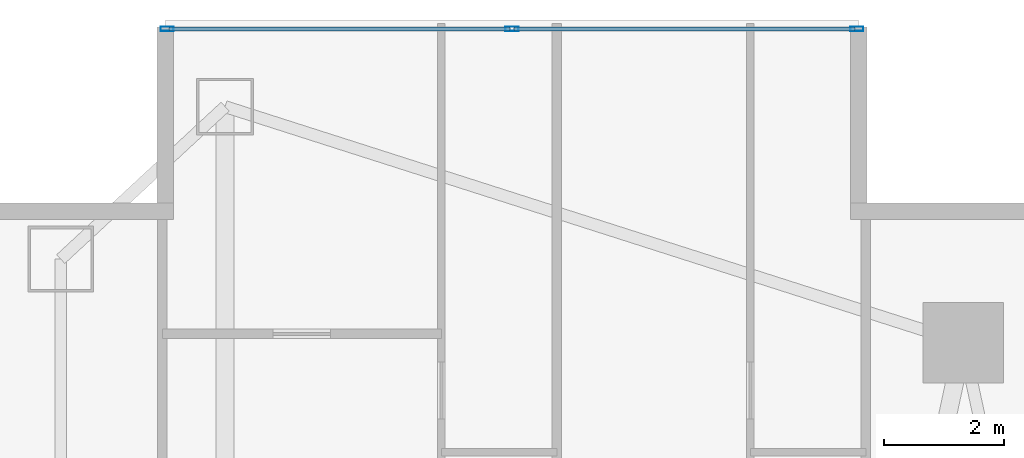
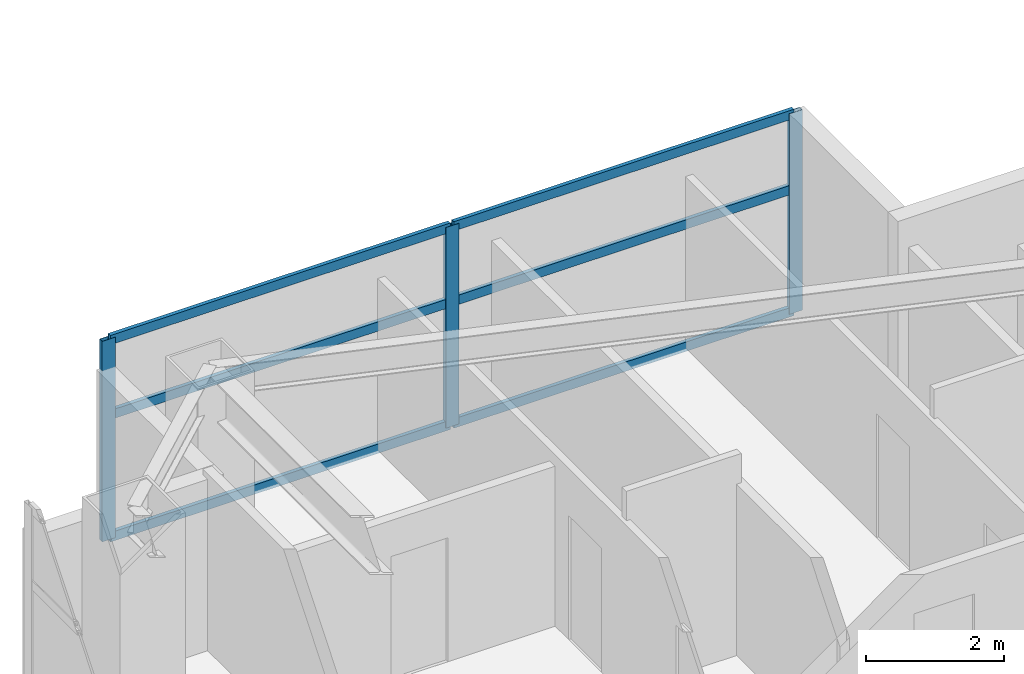
# One storey, part 19 of 30: 9 members, 1 element without a shape of its own.
"""IFC4 building model written with IfcOpenShell, lengths in metres."""

import ifcopenshell
import ifcopenshell.guid

model = None  # the IFC model being written
_history = None  # IfcOwnerHistory: only IFC2X3 demands one
_inside = {}  # id of a spatial element -> (the spatial element, [elements in it])
_under = {}  # id of a project, library or spatial element -> (it, [spatial elements below it])
_declared = {}  # id of a project -> (the project, [libraries it declares])
_typed = {}  # id of a type object -> (the type object, [elements of that type])
_made_of = {}  # id of a material, layer set ... -> (it, [elements and type objects made of it])


def new_model(schema):
    """Start an empty IFC model of exactly this schema.

    Asked for "IFC4X3", IfcOpenShell would pick the latest addendum, in which some entities
    have other attributes; the version numbers below select the first issue.
    IFC2X3 requires an IfcOwnerHistory on every rooted entity: one is made here for all.
    """
    global model, _history
    if schema == "IFC4X3":
        model = ifcopenshell.file(schema_version=(4, 3, 0, 0))
    else:
        model = ifcopenshell.file(schema=schema)
    _inside.clear()
    _under.clear()
    _declared.clear()
    _typed.clear()
    _made_of.clear()
    _history = None
    if model.schema == "IFC2X3":
        org = make("IfcOrganization", Name="unknown")
        user = make(
            "IfcPersonAndOrganization",
            ThePerson=make("IfcPerson", FamilyName="unknown"),
            TheOrganization=org,
        )
        app = make(
            "IfcApplication",
            ApplicationDeveloper=org,
            Version="unknown",
            ApplicationFullName="unknown",
            ApplicationIdentifier="unknown",
        )
        _history = make(
            "IfcOwnerHistory",
            OwningUser=user,
            OwningApplication=app,
            ChangeAction="ADDED",
            CreationDate=0,
        )
    return model


def make(cls, **values):
    """One entity of the class cls with the attributes given. An attribute that is None is left unset."""
    return model.create_entity(
        cls, **{name: value for name, value in values.items() if value is not None}
    )


def rooted(cls, **values):
    """An entity with a GlobalId (a new one), such as an element, a storey or a relation."""
    return make(cls, GlobalId=ifcopenshell.guid.new(), OwnerHistory=_history, **values)


def si_unit(unit_type, name, prefix=None):
    """IfcSIUnit, for example si_unit("LENGTHUNIT", "METRE", prefix="MILLI")."""
    return make("IfcSIUnit", UnitType=unit_type, Prefix=prefix, Name=name)


def assignment(units):
    """IfcUnitAssignment: the units of a project."""
    return None if units is None else make("IfcUnitAssignment", Units=units)


def point(xyz):
    """IfcCartesianPoint."""
    return None if xyz is None else make("IfcCartesianPoint", Coordinates=xyz)


def direction(xyz):
    """IfcDirection."""
    return None if xyz is None else make("IfcDirection", DirectionRatios=xyz)


def frame(location, z_axis=None, x_axis=None):
    """IfcAxis2Placement3D, a coordinate frame: its origin and axes. An axis left out is left unset."""
    return make(
        "IfcAxis2Placement3D",
        Location=point(location),
        Axis=direction(z_axis),
        RefDirection=direction(x_axis),
    )


def frame_2d(location, x_axis=None):
    """IfcAxis2Placement2D, a coordinate frame in the plane: its origin and x axis."""
    return make(
        "IfcAxis2Placement2D", Location=point(location), RefDirection=direction(x_axis)
    )


def origin():
    """The frame at (0, 0, 0) with its axes left unset."""
    return frame((0.0, 0.0, 0.0))


def origin_2d():
    """The frame at (0, 0) in the plane with its x axis left unset."""
    return frame_2d((0.0, 0.0))


def place(relative_to, where):
    """IfcLocalPlacement: puts the frame where relative to a parent placement (None: the world)."""
    return make(
        "IfcLocalPlacement", PlacementRelTo=relative_to, RelativePlacement=where
    )


def context(
    kind, dimensions, precision=None, world=None, true_north=None, identifier=None
):
    """IfcGeometricRepresentationContext, for example the 3D "Model" context."""
    return make(
        "IfcGeometricRepresentationContext",
        ContextIdentifier=identifier,
        ContextType=kind,
        CoordinateSpaceDimension=dimensions,
        Precision=precision,
        WorldCoordinateSystem=world,
        TrueNorth=true_north,
    )


def subcontext(parent, identifier, kind, view, scale=None):
    """IfcGeometricRepresentationSubContext, for example "Body" below "Model"."""
    return make(
        "IfcGeometricRepresentationSubContext",
        ContextIdentifier=identifier,
        ContextType=kind,
        ParentContext=parent,
        TargetScale=scale,
        TargetView=view,
    )


def project(units=None, contexts=None):
    """IfcProject with its units and contexts."""
    return rooted(
        "IfcProject",
        Name="project",
        RepresentationContexts=contexts,
        UnitsInContext=assignment(units),
    )


def spatial(cls, under=None, at=None, **own):
    """A site, building, storey or space (cls), placed at a placement, below another one or the project."""
    s = rooted(cls, ObjectPlacement=at, **own)
    if under is not None:
        _under.setdefault(under.id(), (under, []))[1].append(s)
    return s


def profile(cls, at=None, kind="AREA", **sizes):
    """A parametric profile (cls). Its sizes go by their IFC names, for example OverallWidth=200.0."""
    return make(cls, ProfileType=kind, Position=at, **sizes)


def hollow_rectangle(**sizes):
    """IfcRectangleHollowProfileDef."""
    return profile("IfcRectangleHollowProfileDef", **sizes)


def extrude(swept, where, along, depth):
    """IfcExtrudedAreaSolid: the profile swept, set in the frame where, extruded along a direction by depth."""
    return make(
        "IfcExtrudedAreaSolid",
        SweptArea=swept,
        Position=where,
        ExtrudedDirection=direction(along),
        Depth=depth,
    )


def shape(context_of_items, identifier, shape_type, items):
    """IfcShapeRepresentation: the items that make up one representation, for example the "Body"."""
    return make(
        "IfcShapeRepresentation",
        ContextOfItems=context_of_items,
        RepresentationIdentifier=identifier,
        RepresentationType=shape_type,
        Items=items,
    )


def material(Name=None, Category=None):
    """IfcMaterial."""
    return make("IfcMaterial", Name=Name, Category=Category)


def layer(
    of_material, thickness, ventilated=None, Name=None, Category=None, Priority=None
):
    """IfcMaterialLayer: one layer of a wall or slab, of a material (None: an air gap)."""
    return make(
        "IfcMaterialLayer",
        Material=of_material,
        LayerThickness=thickness,
        IsVentilated=ventilated,
        Name=Name,
        Category=Category,
        Priority=Priority,
    )


def layer_set(layers, Name=None):
    """IfcMaterialLayerSet."""
    return make("IfcMaterialLayerSet", MaterialLayers=layers, LayerSetName=Name)


def material_profile(
    of_material, cross_section, Name=None, Category=None, Priority=None
):
    """IfcMaterialProfile: a cross section and its material."""
    return make(
        "IfcMaterialProfile",
        Name=Name,
        Material=of_material,
        Profile=cross_section,
        Priority=Priority,
        Category=Category,
    )


def profile_set(profiles, Name=None, composite=None):
    """IfcMaterialProfileSet."""
    return make(
        "IfcMaterialProfileSet",
        Name=Name,
        MaterialProfiles=profiles,
        CompositeProfile=composite,
    )


def made_of(thing, what):
    """Note that an element or type object is made of a material, layer set ...; save() writes the relation."""
    if what is not None:
        _made_of.setdefault(what.id(), (what, []))[1].append(thing)
    return thing


def type_object(cls, material=None, **own):
    """A type object (cls), such as IfcWallType, which elements share."""
    return made_of(rooted(cls, **own), material)


def element(
    cls,
    number,
    at=None,
    inside=None,
    cuts=None,
    type_object=None,
    material=None,
    context=None,
    identifier="Body",
    shape_type=None,
    held_by="IfcProductDefinitionShape",
    body=None,
    shapes=None,
    **own,
):
    """One element of the class cls, such as IfcWall. Its Tag is "e" and its number.

    at: its placement. inside: the storey or other place that contains it. cuts: it is an
    opening in that element (IfcRelVoidsElement). A single representation is given by context,
    identifier, shape_type and body (its items); several are given by shapes. held_by: the class
    of the entity that holds the representations. save() writes the other relations.
    """
    e = rooted(cls, Tag="e%d" % number, ObjectPlacement=at, **own)
    if body is not None:
        shapes = [shape(context, identifier, shape_type, body)]
    if shapes is not None:
        e.Representation = make(held_by, Representations=shapes)
    if inside is not None:
        _inside.setdefault(inside.id(), (inside, []))[1].append(e)
    if cuts is not None:
        rooted(
            "IfcRelVoidsElement", RelatingBuildingElement=cuts, RelatedOpeningElement=e
        )
    if type_object is not None:
        _typed.setdefault(type_object.id(), (type_object, []))[1].append(e)
    return made_of(e, material)


def aggregate(whole, parts):
    """IfcRelAggregates: a whole, such as a stair, and the parts it consists of."""
    return rooted("IfcRelAggregates", RelatingObject=whole, RelatedObjects=parts)


def save(model, path):
    """Write the relations noted so far, then the file.

    IfcRelAggregates (storeys below a building ...), IfcRelContainedInSpatialStructure (elements
    in a storey), IfcRelDefinesByType, IfcRelAssociatesMaterial and IfcRelDeclares: one each for
    every whole, place, type object, material and project.
    """
    for whole, parts in _under.values():
        aggregate(whole, parts)
    for where, things in _inside.values():
        rooted(
            "IfcRelContainedInSpatialStructure",
            RelatedElements=things,
            RelatingStructure=where,
        )
    for kind, things in _typed.values():
        rooted("IfcRelDefinesByType", RelatedObjects=things, RelatingType=kind)
    for what, things in _made_of.values():
        rooted("IfcRelAssociatesMaterial", RelatedObjects=things, RelatingMaterial=what)
    for by, libraries in _declared.values():
        rooted("IfcRelDeclares", RelatingContext=by, RelatedDefinitions=libraries)
    model.write(path)


model = new_model("IFC4")

# Units and contexts
model_context = context("Model", 3, precision=1e-05, world=origin(), true_north=direction((0.0, 1.0)))
body_context = subcontext(model_context, "Body", "Model", "MODEL_VIEW")
ifc_project = project(units=[si_unit("LENGTHUNIT", "METRE"), si_unit("AREAUNIT", "SQUARE_METRE"), si_unit("VOLUMEUNIT", "CUBIC_METRE"), si_unit("PLANEANGLEUNIT", "RADIAN"), si_unit("MASSUNIT", "GRAM", prefix="KILO")], contexts=[model_context])

# Site, building, storey
site_placement = place(None, origin())
site = spatial("IfcSite", under=ifc_project, at=site_placement, CompositionType="ELEMENT")
building_placement = place(site_placement, origin())
building = spatial("IfcBuilding", under=site, at=building_placement, Name="Calvorn Quay Hotel", CompositionType="ELEMENT")
storey_placement = place(building_placement, frame((0.0, 0.0, 50.800048828125)))
storey = spatial("IfcBuildingStorey", under=building, at=storey_placement, Name="L11", CompositionType="ELEMENT", Elevation=50.800048828125)

# Curtain wall, members
ifc_material_1 = material(Name="Pale Anodised Aluminium and Low-E Glass", Category="aluminium")
ifc_layer = layer(ifc_material_1, 0.219970703125)
ifc_layer_set = layer_set([ifc_layer], Name="CW-SYS-Z1")
curtain_wall_type = type_object("IfcCurtainWallType", Name="CW-SYS-Z1", PredefinedType="NOTDEFINED", material=ifc_layer_set)
curtain_wall_placement = place(storey_placement, origin())
curtain_wall = element("IfcCurtainWall", 1, at=curtain_wall_placement, inside=storey, type_object=curtain_wall_type, Name="Inner Court Curtain Wall L11-N1", PredefinedType="NOTDEFINED")
ifc_material_2 = material(Name="Pale Anodised Aluminium 6063-T6", Category="aluminium")
ifc_material_profile_1 = material_profile(ifc_material_2, hollow_rectangle(XDim=0.074951171875, YDim=0.219970703125, WallThickness=0.00439453125, at=origin_2d()), Name="ALU-M220x75x4.5")
ifc_profile_set_1 = profile_set([ifc_material_profile_1], Name="Pale Anodised Aluminium 6063-T6")
member_type_1 = type_object("IfcMemberType", Name="CW-SYS-Z1-MUL", PredefinedType="MULLION", material=ifc_profile_set_1)
member_1_placement = place(storey_placement, frame((14.77001953125, 50.85009765625, 0.0), z_axis=(0.0, 0.0, 1.0), x_axis=(0.0, -1.0, 0.0)))
member_1 = element("IfcMember", 2, at=member_1_placement, type_object=member_type_1, Name="CW-L11-N1 mullion 1", PredefinedType="MULLION", context=body_context, shape_type="SweptSolid", body=[
    extrude(hollow_rectangle(XDim=0.074951171875, YDim=0.219970703125, WallThickness=0.00439453125, at=origin_2d()), origin(), (0.0, 0.0, 1.0), 3.56005859375),
])
member_2_placement = place(storey_placement, frame((9.0, 50.85009765625, 0.0), z_axis=(0.0, 0.0, 1.0), x_axis=(0.0, -1.0, 0.0)))
member_2 = element("IfcMember", 3, at=member_2_placement, type_object=member_type_1, Name="CW-L11-N1 mullion 2", PredefinedType="MULLION", context=body_context, shape_type="SweptSolid", body=[
    extrude(hollow_rectangle(XDim=0.074951171875, YDim=0.219970703125, WallThickness=0.00439453125, at=origin_2d()), origin(), (0.0, 0.0, 1.0), 3.56005859375),
])
member_3_placement = place(storey_placement, frame((3.22998046875, 50.85009765625, 0.0), z_axis=(0.0, 0.0, 1.0), x_axis=(0.0, -1.0, 0.0)))
member_3 = element("IfcMember", 4, at=member_3_placement, type_object=member_type_1, Name="CW-L11-N1 mullion 3", PredefinedType="MULLION", context=body_context, shape_type="SweptSolid", body=[
    extrude(hollow_rectangle(XDim=0.074951171875, YDim=0.219970703125, WallThickness=0.00439453125, at=origin_2d()), origin(), (0.0, 0.0, 1.0), 3.56005859375),
])
ifc_material_3 = material(Name="Pale Anodised Aluminium 6063-T6", Category="aluminium")
ifc_material_profile_2 = material_profile(ifc_material_3, hollow_rectangle(XDim=0.06494140625, YDim=0.1650390625, WallThickness=0.00341796875, at=origin_2d()), Name="ALU-T165x65x3.5")
ifc_profile_set_2 = profile_set([ifc_material_profile_2], Name="Pale Anodised Aluminium 6063-T6")
member_type_2 = type_object("IfcMemberType", Name="CW-SYS-Z1-TRN", PredefinedType="USERDEFINED", material=ifc_profile_set_2)
member_4_placement = place(storey_placement, frame((14.739990234375, 50.85009765625, 0.030029296875), z_axis=(-1.0, 0.0, 0.0), x_axis=(0.0, -1.0, 0.0)))
member_4 = element("IfcMember", 5, at=member_4_placement, type_object=member_type_2, Name="CW-L11-N1 transom 1.1", ObjectType="TRANSOM", PredefinedType="USERDEFINED", context=body_context, shape_type="SweptSolid", body=[
    extrude(hollow_rectangle(XDim=0.06494140625, YDim=0.1650390625, WallThickness=0.00341796875, at=origin_2d()), origin(), (0.0, 0.0, 1.0), 5.7099609375),
])
member_5_placement = place(storey_placement, frame((14.739990234375, 50.85009765625, 2.199951171875), z_axis=(-1.0, 0.0, 0.0), x_axis=(0.0, -1.0, 0.0)))
member_5 = element("IfcMember", 6, at=member_5_placement, type_object=member_type_2, Name="CW-L11-N1 transom 1.2", ObjectType="TRANSOM", PredefinedType="USERDEFINED", context=body_context, shape_type="SweptSolid", body=[
    extrude(hollow_rectangle(XDim=0.06494140625, YDim=0.1650390625, WallThickness=0.00341796875, at=origin_2d()), origin(), (0.0, 0.0, 1.0), 5.7099609375),
])
member_6_placement = place(storey_placement, frame((14.739990234375, 50.85009765625, 3.530029296875), z_axis=(-1.0, 0.0, 0.0), x_axis=(0.0, -1.0, 0.0)))
member_6 = element("IfcMember", 7, at=member_6_placement, type_object=member_type_2, Name="CW-L11-N1 transom 1.3", ObjectType="TRANSOM", PredefinedType="USERDEFINED", context=body_context, shape_type="SweptSolid", body=[
    extrude(hollow_rectangle(XDim=0.06494140625, YDim=0.1650390625, WallThickness=0.00341796875, at=origin_2d()), origin(), (0.0, 0.0, 1.0), 5.7099609375),
])
member_7_placement = place(storey_placement, frame((8.969970703125, 50.85009765625, 0.030029296875), z_axis=(-1.0, 0.0, 0.0), x_axis=(0.0, -1.0, 0.0)))
member_7 = element("IfcMember", 8, at=member_7_placement, type_object=member_type_2, Name="CW-L11-N1 transom 2.1", ObjectType="TRANSOM", PredefinedType="USERDEFINED", context=body_context, shape_type="SweptSolid", body=[
    extrude(hollow_rectangle(XDim=0.06494140625, YDim=0.1650390625, WallThickness=0.00341796875, at=origin_2d()), origin(), (0.0, 0.0, 1.0), 5.7099609375),
])
member_8_placement = place(storey_placement, frame((8.969970703125, 50.85009765625, 2.199951171875), z_axis=(-1.0, 0.0, 0.0), x_axis=(0.0, -1.0, 0.0)))
member_8 = element("IfcMember", 9, at=member_8_placement, type_object=member_type_2, Name="CW-L11-N1 transom 2.2", ObjectType="TRANSOM", PredefinedType="USERDEFINED", context=body_context, shape_type="SweptSolid", body=[
    extrude(hollow_rectangle(XDim=0.06494140625, YDim=0.1650390625, WallThickness=0.00341796875, at=origin_2d()), origin(), (0.0, 0.0, 1.0), 5.7099609375),
])
member_9_placement = place(storey_placement, frame((8.969970703125, 50.85009765625, 3.530029296875), z_axis=(-1.0, 0.0, 0.0), x_axis=(0.0, -1.0, 0.0)))
member_9 = element("IfcMember", 10, at=member_9_placement, type_object=member_type_2, Name="CW-L11-N1 transom 2.3", ObjectType="TRANSOM", PredefinedType="USERDEFINED", context=body_context, shape_type="SweptSolid", body=[
    extrude(hollow_rectangle(XDim=0.06494140625, YDim=0.1650390625, WallThickness=0.00341796875, at=origin_2d()), origin(), (0.0, 0.0, 1.0), 5.7099609375),
])
aggregate(curtain_wall, [member_1, member_2, member_3, member_4, member_5, member_6, member_7, member_8, member_9])

save(model, "model.ifc")
